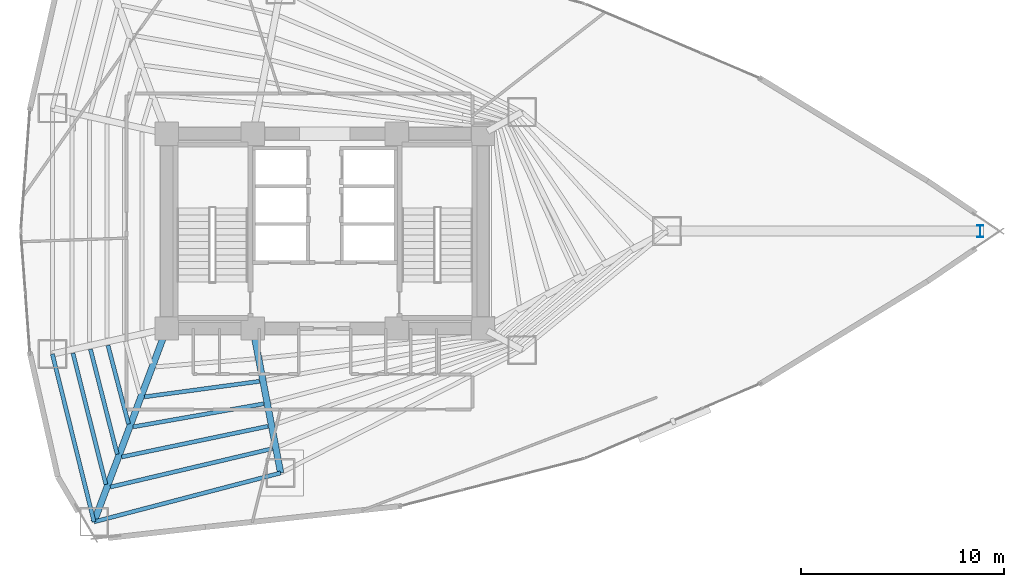
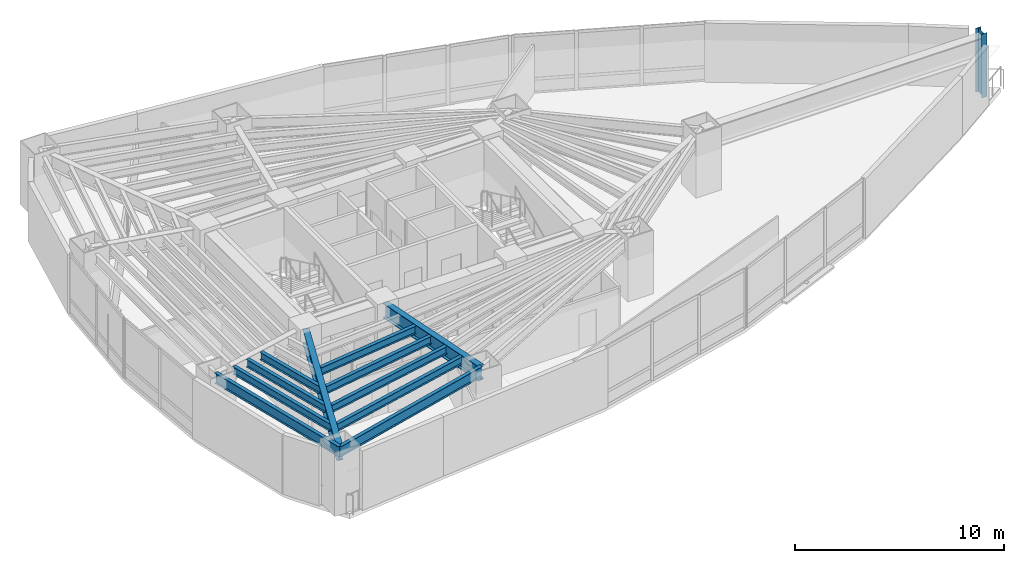
# One storey, part 2 of 20: 11 beams, 1 column.
"""IFC4 building model written with IfcOpenShell, lengths in metres."""

from ifc_helpers import new_model, si_unit, direction, frame, origin, origin_2d, place, context, subcontext, project, spatial, i_section, extrude, material, material_profile, profile_set, type_object, element, save


model = new_model("IFC4")

# Units and contexts
model_context = context("Model", 3, precision=1e-05, world=origin(), true_north=direction((0.0, 1.0)))
body_context = subcontext(model_context, "Body", "Model", "MODEL_VIEW")
ifc_project = project(units=[si_unit("LENGTHUNIT", "METRE"), si_unit("AREAUNIT", "SQUARE_METRE"), si_unit("VOLUMEUNIT", "CUBIC_METRE"), si_unit("PLANEANGLEUNIT", "RADIAN"), si_unit("MASSUNIT", "GRAM", prefix="KILO")], contexts=[model_context])

# Site, building, storey
site_placement = place(None, origin())
site = spatial("IfcSite", under=ifc_project, at=site_placement, CompositionType="ELEMENT")
building_placement = place(site_placement, origin())
building = spatial("IfcBuilding", under=site, at=building_placement, Name="Menara Vayukalpa", CompositionType="ELEMENT")
storey_placement = place(building_placement, frame((0.0, 0.0, 57.360107421875)))
storey = spatial("IfcBuildingStorey", under=building, at=storey_placement, Name="L13", CompositionType="ELEMENT", Elevation=57.360107421875)

# Column
ifc_material_1 = material(Name="Steel S460", Category="steel")
ifc_material_profile_1 = material_profile(ifc_material_1, i_section(OverallWidth=0.300048828125, OverallDepth=0.587890625, WebThickness=0.011962890625, FlangeThickness=0.02001953125, at=origin_2d()), Name="H 588x300x12x20")
ifc_profile_set_1 = profile_set([ifc_material_profile_1], Name="Steel S460")
column_type = type_object("IfcColumnType", Name="COL-SC1", PredefinedType="COLUMN", material=ifc_profile_set_1)
column_placement = place(storey_placement, frame((57.90771484375, 22.0, 0.0), z_axis=(0.0, 0.0, 1.0), x_axis=(1.0, 0.0, 0.0)))
element("IfcColumn", 1, at=column_placement, inside=storey, type_object=column_type, Name="L13 SB1 Sky Bar Vierendeel Column SB01", PredefinedType="COLUMN", context=body_context, shape_type="SweptSolid", body=[
    extrude(i_section(OverallWidth=0.300048828125, OverallDepth=0.587890625, WebThickness=0.011962890625, FlangeThickness=0.02001953125, at=origin_2d()), origin(), (0.0, 0.0, 1.0), 3.719970703125),
])

# Beams
ifc_material_2 = material(Name="Steel S355", Category="steel")
ifc_material_profile_2 = material_profile(ifc_material_2, i_section(OverallWidth=0.320068359375, OverallDepth=0.85009765625, WebThickness=0.01611328125, FlangeThickness=0.030029296875, at=origin_2d()), Name="WF 850x320x16x30")
ifc_profile_set_2 = profile_set([ifc_material_profile_2], Name="Steel S355")
beam_type_1 = type_object("IfcBeamType", Name="BM-PG2", PredefinedType="BEAM", material=ifc_profile_set_2)
beam_1_placement = place(storey_placement, frame((17.712158203125, 16.966064453125, 3.044921875), z_axis=(-0.351734656537, -0.93609974436, 0.0), x_axis=(0.93609974436, -0.351734656537, 0.0)))
element("IfcBeam", 2, at=beam_1_placement, inside=storey, type_object=beam_type_1, Name="L13 Primary Radial Girder RG07", PredefinedType="BEAM", context=body_context, shape_type="SweptSolid", body=[
    extrude(i_section(OverallWidth=0.320068359375, OverallDepth=0.85009765625, WebThickness=0.01611328125, FlangeThickness=0.030029296875, at=origin_2d()), origin(), (0.0, 0.0, 1.0), 9.935302734375),
])
beam_2_placement = place(storey_placement, frame((22.09716796875, 16.95458984375, 3.044921875), z_axis=(0.188803432672, -0.982014899995, 0.0), x_axis=(0.982014899995, 0.188803432672, 0.0)))
element("IfcBeam", 3, at=beam_2_placement, inside=storey, type_object=beam_type_1, Name="L13 Primary Radial Girder RG08", PredefinedType="BEAM", context=body_context, shape_type="SweptSolid", body=[
    extrude(i_section(OverallWidth=0.320068359375, OverallDepth=0.85009765625, WebThickness=0.01611328125, FlangeThickness=0.030029296875, at=origin_2d()), origin(), (0.0, 0.0, 1.0), 7.00341796875),
])
ifc_material_3 = material(Name="Steel S355", Category="steel")
ifc_material_profile_3 = material_profile(ifc_material_3, i_section(OverallWidth=0.199951171875, OverallDepth=0.449951171875, WebThickness=0.009033203125, FlangeThickness=0.013916015625, at=origin_2d()), Name="WF 450x200x9x14")
ifc_profile_set_3 = profile_set([ifc_material_profile_3], Name="Steel S355")
beam_type_2 = type_object("IfcBeamType", Name="BM-SJ1", PredefinedType="JOIST", material=ifc_profile_set_3)
beam_3_placement = place(storey_placement, frame((14.905517578125, 16.368896484375, 3.244873046875), z_axis=(0.25283833468, -0.967508540798, 0.0), x_axis=(0.967508540798, 0.25283833468, 0.0)))
element("IfcBeam", 4, at=beam_3_placement, inside=storey, type_object=beam_type_2, Name="L13 Secondary Floor Joist SJ06-3", PredefinedType="JOIST", context=body_context, shape_type="SweptSolid", body=[
    extrude(i_section(OverallWidth=0.199951171875, OverallDepth=0.449951171875, WebThickness=0.009033203125, FlangeThickness=0.013916015625, at=origin_2d()), origin(), (0.0, 0.0, 1.0), 4.00927734375),
])
beam_4_placement = place(storey_placement, frame((14.0419921875, 16.17578125, 3.244873046875), z_axis=(0.247105572938, -0.968988563309, 0.0), x_axis=(0.968988563309, 0.247105572938, 0.0)))
element("IfcBeam", 5, at=beam_4_placement, inside=storey, type_object=beam_type_2, Name="L13 Secondary Floor Joist SJ06-4", PredefinedType="JOIST", context=body_context, shape_type="SweptSolid", body=[
    extrude(i_section(OverallWidth=0.199951171875, OverallDepth=0.449951171875, WebThickness=0.009033203125, FlangeThickness=0.013916015625, at=origin_2d()), origin(), (0.0, 0.0, 1.0), 5.339111328125),
])
beam_5_placement = place(storey_placement, frame((13.1787109375, 15.982666015625, 3.244873046875), z_axis=(0.243517460774, -0.96989651319, 0.0), x_axis=(0.96989651319, 0.243517460774, 0.0)))
element("IfcBeam", 6, at=beam_5_placement, inside=storey, type_object=beam_type_2, Name="L13 Secondary Floor Joist SJ06-5", PredefinedType="JOIST", context=body_context, shape_type="SweptSolid", body=[
    extrude(i_section(OverallWidth=0.199951171875, OverallDepth=0.449951171875, WebThickness=0.009033203125, FlangeThickness=0.013916015625, at=origin_2d()), origin(), (0.0, 0.0, 1.0), 6.6689453125),
])
beam_6_placement = place(storey_placement, frame((16.702392578125, 13.827880859375, 3.244873046875), z_axis=(0.991021966654, 0.13369914588, 0.0), x_axis=(-0.13369914588, 0.991021966654, 0.0)))
element("IfcBeam", 7, at=beam_6_placement, inside=storey, type_object=beam_type_2, Name="L13 Secondary Floor Joist SJ07-2", PredefinedType="JOIST", context=body_context, shape_type="SweptSolid", body=[
    extrude(i_section(OverallWidth=0.199951171875, OverallDepth=0.449951171875, WebThickness=0.009033203125, FlangeThickness=0.013916015625, at=origin_2d()), origin(), (0.0, 0.0, 1.0), 5.71728515625),
])
beam_7_placement = place(storey_placement, frame((16.14208984375, 12.34716796875, 3.244873046875), z_axis=(0.984753096925, 0.173957862993, 0.0), x_axis=(-0.173957862993, 0.984753096925, 0.0)))
element("IfcBeam", 8, at=beam_7_placement, inside=storey, type_object=beam_type_2, Name="L13 Secondary Floor Joist SJ07-3", PredefinedType="JOIST", context=body_context, shape_type="SweptSolid", body=[
    extrude(i_section(OverallWidth=0.199951171875, OverallDepth=0.449951171875, WebThickness=0.009033203125, FlangeThickness=0.013916015625, at=origin_2d()), origin(), (0.0, 0.0, 1.0), 6.53857421875),
])
beam_8_placement = place(storey_placement, frame((15.581787109375, 10.86474609375, 3.244873046875), z_axis=(0.978676146728, 0.205409346977, 0.0), x_axis=(-0.205409346977, 0.978676146728, 0.0)))
element("IfcBeam", 9, at=beam_8_placement, inside=storey, type_object=beam_type_2, Name="L13 Secondary Floor Joist SJ07-4", PredefinedType="JOIST", context=body_context, shape_type="SweptSolid", body=[
    extrude(i_section(OverallWidth=0.199951171875, OverallDepth=0.449951171875, WebThickness=0.009033203125, FlangeThickness=0.013916015625, at=origin_2d()), origin(), (0.0, 0.0, 1.0), 7.369140625),
])
beam_9_placement = place(storey_placement, frame((15.021728515625, 9.381103515625, 3.244873046875), z_axis=(0.97303971213, 0.23063763487, 0.0), x_axis=(-0.23063763487, 0.97303971213, 0.0)))
element("IfcBeam", 10, at=beam_9_placement, inside=storey, type_object=beam_type_2, Name="L13 Secondary Floor Joist SJ07-5", PredefinedType="JOIST", context=body_context, shape_type="SweptSolid", body=[
    extrude(i_section(OverallWidth=0.199951171875, OverallDepth=0.449951171875, WebThickness=0.009033203125, FlangeThickness=0.013916015625, at=origin_2d()), origin(), (0.0, 0.0, 1.0), 8.205810546875),
])
ifc_material_4 = material(Name="Steel S355", Category="steel")
ifc_material_profile_4 = material_profile(ifc_material_4, i_section(OverallWidth=0.199951171875, OverallDepth=0.60009765625, WebThickness=0.010986328125, FlangeThickness=0.01708984375, at=origin_2d()), Name="WF 600x200x11x17")
ifc_profile_set_4 = profile_set([ifc_material_profile_4], Name="Steel S355")
beam_type_3 = type_object("IfcBeamType", Name="BM-SP1", PredefinedType="SPANDREL", material=ifc_profile_set_4)
beam_10_placement = place(storey_placement, frame((12.164306640625, 15.9404296875, 3.169921875), z_axis=(0.240823860364, -0.970568837476, 0.0), x_axis=(0.970568837476, 0.240823860364, 0.0)))
element("IfcBeam", 11, at=beam_10_placement, inside=storey, type_object=beam_type_3, Name="L13 Perimeter Spandrel Beam SP06", PredefinedType="SPANDREL", context=body_context, shape_type="SweptSolid", body=[
    extrude(i_section(OverallWidth=0.199951171875, OverallDepth=0.60009765625, WebThickness=0.010986328125, FlangeThickness=0.01708984375, at=origin_2d()), origin(), (0.0, 0.0, 1.0), 8.52587890625),
])
beam_11_placement = place(storey_placement, frame((14.217529296875, 7.66552734375, 3.169921875), z_axis=(0.967331024421, 0.253516644802, 0.0), x_axis=(-0.253516644802, 0.967331024421, 0.0)))
element("IfcBeam", 12, at=beam_11_placement, inside=storey, type_object=beam_type_3, Name="L13 Perimeter Spandrel Beam SP07", PredefinedType="SPANDREL", context=body_context, shape_type="SweptSolid", body=[
    extrude(i_section(OverallWidth=0.199951171875, OverallDepth=0.60009765625, WebThickness=0.010986328125, FlangeThickness=0.01708984375, at=origin_2d()), origin(), (0.0, 0.0, 1.0), 9.5126953125),
])

save(model, "model.ifc")
